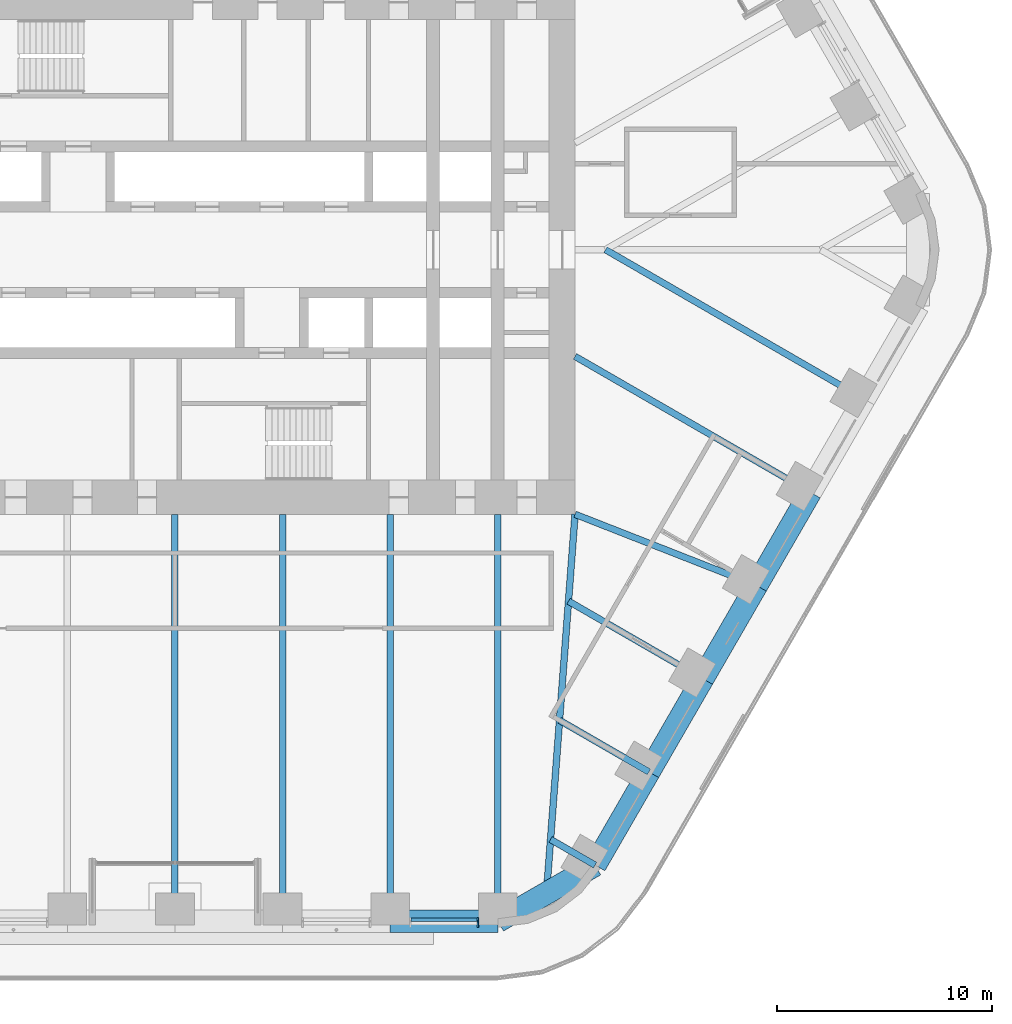
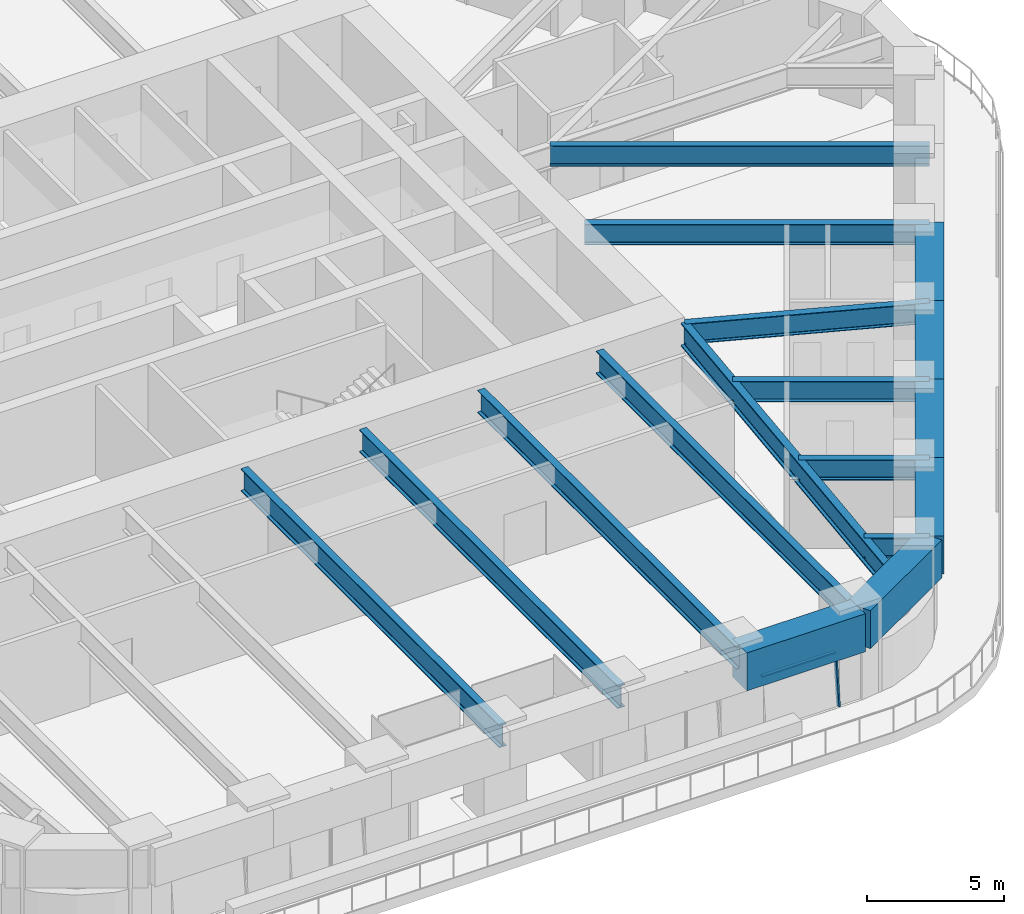
# One storey, part 5 of 24: 17 beams, 2 members, 1 element without a shape of its own.
"""IFC4 building model written with IfcOpenShell, lengths in metres."""

from ifc_helpers import new_model, si_unit, direction, frame, origin, origin_2d, place, context, subcontext, project, spatial, rectangle, i_section, extrude, material, material_profile, profile_set, type_object, element, aggregate, save


model = new_model("IFC4")

# Units and contexts
model_context = context("Model", 3, precision=1e-05, world=origin(), true_north=direction((0.0, 1.0)))
body_context = subcontext(model_context, "Body", "Model", "MODEL_VIEW")
ifc_project = project(units=[si_unit("LENGTHUNIT", "METRE"), si_unit("AREAUNIT", "SQUARE_METRE"), si_unit("VOLUMEUNIT", "CUBIC_METRE"), si_unit("PLANEANGLEUNIT", "RADIAN"), si_unit("MASSUNIT", "GRAM", prefix="KILO")], contexts=[model_context])

# Site, building, storey
site_placement = place(None, origin())
site = spatial("IfcSite", under=ifc_project, at=site_placement, CompositionType="ELEMENT")
building_placement = place(site_placement, origin())
building = spatial("IfcBuilding", under=site, at=building_placement, Name="Tarfa Lantern Tower", CompositionType="ELEMENT")
storey_placement = place(building_placement, frame((0.0, 0.0, 127.89990234375)))
storey = spatial("IfcBuildingStorey", under=building, at=storey_placement, Name="L28", CompositionType="ELEMENT", Elevation=127.89990234375)

# Curtain wall, members
ifc_material_1 = material(Name="Aluminium framed curtain wall", Category="aluminium")
curtain_wall_type = type_object("IfcCurtainWallType", Name="CW2 CANTED GLAZING MID ZONE 2300", PredefinedType="USERDEFINED", material=ifc_material_1)
curtain_wall_placement = place(storey_placement, origin())
curtain_wall = element("IfcCurtainWall", 1, at=curtain_wall_placement, inside=storey, type_object=curtain_wall_type, Name="CW2 SB L28", ObjectType="CURTAIN WALL", PredefinedType="USERDEFINED")
ifc_material_2 = material(Name="Aluminium mullion", Category="aluminium")
ifc_material_profile_1 = material_profile(ifc_material_2, rectangle(XDim=0.06494140625, YDim=0.199951171875, at=origin_2d()), Name="AL MULLION 65x200")
ifc_profile_set_1 = profile_set([ifc_material_profile_1], Name="Aluminium mullion")
member_type_1 = type_object("IfcMemberType", Name="CWM1 MULLION 65x200", PredefinedType="MULLION", material=ifc_profile_set_1)
member_1_placement = place(storey_placement, frame((14.07861328125, -31.39990234375, 0.0), z_axis=(0.0, 0.108056913548, 0.994144709504), x_axis=(-1.0, 0.0, 0.0)))
member_1 = element("IfcMember", 2, at=member_1_placement, type_object=member_type_1, Name="CW2 mullion 2", PredefinedType="MULLION", context=body_context, shape_type="SweptSolid", body=[
    extrude(rectangle(XDim=0.06494140625, YDim=0.199951171875, at=origin_2d()), origin(), (0.0, 0.0, 1.0), 2.3134765625),
])
ifc_material_3 = material(Name="Aluminium transom", Category="aluminium")
ifc_material_profile_2 = material_profile(ifc_material_3, rectangle(XDim=0.14990234375, YDim=0.06494140625, at=origin_2d()), Name="AL TRANSOM 150x65")
ifc_profile_set_2 = profile_set([ifc_material_profile_2], Name="Aluminium transom")
member_type_2 = type_object("IfcMemberType", Name="CWT1 TRANSOM 150x65", PredefinedType="USERDEFINED", material=ifc_profile_set_2)
member_2_placement = place(storey_placement, frame((10.972412109375, -31.153564453125, 2.267578125), z_axis=(1.0, 0.0, 0.0), x_axis=(0.0, 1.0, 0.0)))
member_2 = element("IfcMember", 3, at=member_2_placement, type_object=member_type_2, Name="CW2 transom 1.2", ObjectType="TRANSOM", PredefinedType="USERDEFINED", context=body_context, shape_type="SweptSolid", body=[
    extrude(rectangle(XDim=0.14990234375, YDim=0.06494140625, at=origin_2d()), origin(), (0.0, 0.0, 1.0), 3.07373046875),
])
aggregate(curtain_wall, [member_1, member_2])

# Beams
ifc_material_4 = material(Name="Concrete C80/95", Category="concrete")
ifc_material_profile_3 = material_profile(ifc_material_4, rectangle(XDim=1.050048828125, YDim=1.699951171875, at=origin_2d()), Name="RC 1050x1700")
ifc_profile_set_3 = profile_set([ifc_material_profile_3], Name="Concrete C80/95")
beam_type_1 = type_object("IfcBeamType", Name="RB2 RC 1050x1700", PredefinedType="BEAM", material=ifc_profile_set_3)
beam_1_placement = place(storey_placement, frame((10.00732421875, -31.219970703125, 3.150146484375), z_axis=(1.0, 0.0, 0.0), x_axis=(0.0, 1.0, 0.0)))
element("IfcBeam", 4, at=beam_1_placement, inside=storey, type_object=beam_type_1, Name="Edge beam S5", PredefinedType="BEAM", context=body_context, shape_type="SweptSolid", body=[
    extrude(rectangle(XDim=1.050048828125, YDim=1.699951171875, at=origin_2d()), origin(), (0.0, 0.0, 1.0), 5.003662109375),
])
beam_2_placement = place(storey_placement, frame((15.010986328125, -31.219970703125, 3.150146484375), z_axis=(0.86604150238, 0.499972115377, 0.0), x_axis=(-0.499972115377, 0.86604150238, 0.0)))
element("IfcBeam", 5, at=beam_2_placement, inside=storey, type_object=beam_type_1, Name="Edge beam S6", PredefinedType="BEAM", context=body_context, shape_type="SweptSolid", body=[
    extrude(rectangle(XDim=1.050048828125, YDim=1.699951171875, at=origin_2d()), origin(), (0.0, 0.0, 1.0), 5.219970703125),
])
beam_3_placement = place(storey_placement, frame((19.53173828125, -28.610107421875, 3.150146484375), z_axis=(0.500001197378, 0.866024712477, 0.0), x_axis=(-0.866024712477, 0.500001197378, 0.0)))
element("IfcBeam", 6, at=beam_3_placement, inside=storey, type_object=beam_type_1, Name="Edge beam SE0", PredefinedType="BEAM", context=body_context, shape_type="SweptSolid", body=[
    extrude(rectangle(XDim=1.050048828125, YDim=1.699951171875, at=origin_2d()), origin(), (0.0, 0.0, 1.0), 5.00390625),
])
for number, where, z_axis, x_axis, name in (
    (7, (22.03369140625, -24.276611328125, 3.150146484375), (0.49998573051, 0.866033642122, 0.0), (-0.866033642122, 0.49998573051, 0.0), "Edge beam SE1"),
    (8, (24.535400390625, -19.943359375, 3.150146484375), (0.500022324899, 0.866012514114, 0.0), (-0.866012514114, 0.500022324899, 0.0), "Edge beam SE2"),
    (9, (27.037353515625, -15.610107421875, 3.150146484375), (0.499964603504, 0.866045838996, 0.0), (-0.866045838996, 0.499964603504, 0.0), "Edge beam SE3"),
):
    element("IfcBeam", number, at=place(storey_placement, frame(where, z_axis=z_axis, x_axis=x_axis)), inside=storey, type_object=beam_type_1, Name=name, PredefinedType="BEAM", context=body_context, shape_type="SweptSolid", body=[
        extrude(rectangle(XDim=1.050048828125, YDim=1.699951171875, at=origin_2d()), origin(), (0.0, 0.0, 1.0), 5.003662109375),
    ])
ifc_material_5 = material(Name="Steel S460M", Category="steel")
ifc_material_profile_4 = material_profile(ifc_material_5, i_section(OverallWidth=0.302001953125, OverallDepth=1.008056640625, WebThickness=0.02099609375, FlangeThickness=0.0400390625, FilletRadius=0.030029296875, at=origin_2d()), Name="UB1016x305x349")
ifc_profile_set_4 = profile_set([ifc_material_profile_4], Name="Steel S460M")
beam_type_2 = type_object("IfcBeamType", Name="UB1016x305x349", PredefinedType="BEAM", material=ifc_profile_set_4)
for number, where, z_axis, x_axis, name in (
    (10, (0.0, -31.219970703125, 3.49609375), (0.0, 1.0, 0.0), (-1.0, 0.0, 0.0), "Floor beam S3"),
    (11, (5.003662109375, -31.219970703125, 3.49609375), (0.0, 1.0, 0.0), (-1.0, 0.0, 0.0), "Floor beam S4"),
    (12, (10.00732421875, -31.219970703125, 3.49609375), (0.0, 1.0, 0.0), (-1.0, 0.0, 0.0), "Floor beam S5"),
    (13, (15.010986328125, -31.219970703125, 3.49609375), (0.0, 1.0, 0.0), (-1.0, 0.0, 0.0), "Floor beam S6"),
):
    element("IfcBeam", number, at=place(storey_placement, frame(where, z_axis=z_axis, x_axis=x_axis)), inside=storey, type_object=beam_type_2, Name=name, PredefinedType="BEAM", context=body_context, shape_type="SweptSolid", body=[
        extrude(i_section(OverallWidth=0.302001953125, OverallDepth=1.008056640625, WebThickness=0.02099609375, FlangeThickness=0.0400390625, FilletRadius=0.030029296875, at=origin_2d()), origin(), (0.0, 0.0, 1.0), 18.919921875),
    ])
ifc_material_profile_5 = material_profile(ifc_material_5, i_section(OverallWidth=0.30859375, OverallDepth=1.036376953125, WebThickness=0.030029296875, FlangeThickness=0.05419921875, FilletRadius=0.030029296875, at=origin_2d()), Name="UB1016x305x487")
ifc_profile_set_5 = profile_set([ifc_material_profile_5], Name="Steel S460M")
beam_type_3 = type_object("IfcBeamType", Name="UB1016x305x487", PredefinedType="BEAM", material=ifc_profile_set_5)
beam_4_placement = place(storey_placement, frame((18.60009765625, -12.300048828125, 3.48193359375), z_axis=(-0.075211516041, -0.99716760269, 0.0), x_axis=(0.99716760269, -0.075211516041, 0.0)))
element("IfcBeam", 14, at=beam_4_placement, inside=storey, type_object=beam_type_3, Name="Hip girder SE", PredefinedType="BEAM", context=body_context, shape_type="SweptSolid", body=[
    extrude(i_section(OverallWidth=0.30859375, OverallDepth=1.036376953125, WebThickness=0.030029296875, FlangeThickness=0.05419921875, FilletRadius=0.030029296875, at=origin_2d()), origin(), (0.0, 0.0, 1.0), 17.6650390625),
])
ifc_material_profile_6 = material_profile(ifc_material_5, i_section(OverallWidth=0.305419921875, OverallDepth=0.91845703125, WebThickness=0.017333984375, FlangeThickness=0.02783203125, FilletRadius=0.01904296875, at=origin_2d()), Name="UB914x305x253")
ifc_profile_set_6 = profile_set([ifc_material_profile_6], Name="Steel S460M")
beam_type_4 = type_object("IfcBeamType", Name="UB914x305x253", PredefinedType="BEAM", material=ifc_profile_set_6)
beam_5_placement = place(storey_placement, frame((19.53173828125, -28.610107421875, 3.541015625), z_axis=(-0.865998640954, 0.500046351717, 0.0), x_axis=(-0.500046351717, -0.865998640954, 0.0)))
element("IfcBeam", 15, at=beam_5_placement, inside=storey, type_object=beam_type_4, Name="Floor beam SE0", PredefinedType="BEAM", context=body_context, shape_type="SweptSolid", body=[
    extrude(i_section(OverallWidth=0.305419921875, OverallDepth=0.91845703125, WebThickness=0.017333984375, FlangeThickness=0.02783203125, FilletRadius=0.01904296875, at=origin_2d()), origin(), (0.0, 0.0, 1.0), 2.392333984375),
])
beam_6_placement = place(storey_placement, frame((22.03369140625, -24.276611328125, 3.541015625), z_axis=(-0.866030550462, 0.499991085587, 0.0), x_axis=(-0.499991085587, -0.866030550462, 0.0)))
element("IfcBeam", 16, at=beam_6_placement, inside=storey, type_object=beam_type_4, Name="Floor beam SE1", PredefinedType="BEAM", context=body_context, shape_type="SweptSolid", body=[
    extrude(i_section(OverallWidth=0.305419921875, OverallDepth=0.91845703125, WebThickness=0.017333984375, FlangeThickness=0.02783203125, FilletRadius=0.01904296875, at=origin_2d()), origin(), (0.0, 0.0, 1.0), 4.798828125),
])
beam_7_placement = place(storey_placement, frame((24.535400390625, -19.943359375, 3.541015625), z_axis=(-0.86602647304, 0.499998147991, 0.0), x_axis=(-0.499998147991, -0.86602647304, 0.0)))
element("IfcBeam", 17, at=beam_7_placement, inside=storey, type_object=beam_type_4, Name="Floor beam SE2", PredefinedType="BEAM", context=body_context, shape_type="SweptSolid", body=[
    extrude(i_section(OverallWidth=0.305419921875, OverallDepth=0.91845703125, WebThickness=0.017333984375, FlangeThickness=0.02783203125, FilletRadius=0.01904296875, at=origin_2d()), origin(), (0.0, 0.0, 1.0), 7.20556640625),
])
beam_8_placement = place(storey_placement, frame((27.037353515625, -15.610107421875, 3.541015625), z_axis=(-0.930923282782, 0.365214788274, 0.0), x_axis=(-0.365214788274, -0.930923282782, 0.0)))
element("IfcBeam", 18, at=beam_8_placement, inside=storey, type_object=beam_type_4, Name="Floor beam SE3", PredefinedType="BEAM", context=body_context, shape_type="SweptSolid", body=[
    extrude(i_section(OverallWidth=0.305419921875, OverallDepth=0.91845703125, WebThickness=0.017333984375, FlangeThickness=0.02783203125, FilletRadius=0.01904296875, at=origin_2d()), origin(), (0.0, 0.0, 1.0), 9.063232421875),
])
beam_9_placement = place(storey_placement, frame((29.5390625, -11.276611328125, 3.541015625), z_axis=(-0.866023362995, 0.500003534735, 0.0), x_axis=(-0.500003534735, -0.866023362995, 0.0)))
element("IfcBeam", 19, at=beam_9_placement, inside=storey, type_object=beam_type_4, Name="Floor beam SE4", PredefinedType="BEAM", context=body_context, shape_type="SweptSolid", body=[
    extrude(i_section(OverallWidth=0.305419921875, OverallDepth=0.91845703125, WebThickness=0.017333984375, FlangeThickness=0.02783203125, FilletRadius=0.01904296875, at=origin_2d()), origin(), (0.0, 0.0, 1.0), 12.63134765625),
])
beam_10_placement = place(storey_placement, frame((32.041015625, -6.943359375, 3.541015625), z_axis=(-0.866023096411, 0.500003996466, 0.0), x_axis=(-0.500003996466, -0.866023096411, 0.0)))
element("IfcBeam", 20, at=beam_10_placement, inside=storey, type_object=beam_type_4, Name="Floor beam SE5", PredefinedType="BEAM", context=body_context, shape_type="SweptSolid", body=[
    extrude(i_section(OverallWidth=0.305419921875, OverallDepth=0.91845703125, WebThickness=0.017333984375, FlangeThickness=0.02783203125, FilletRadius=0.01904296875, at=origin_2d()), origin(), (0.0, 0.0, 1.0), 13.88671875),
])

save(model, "model.ifc")
